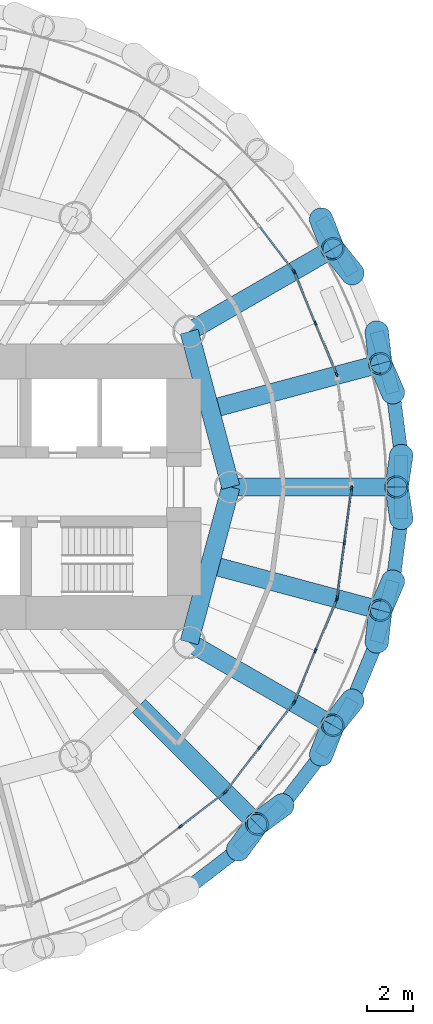
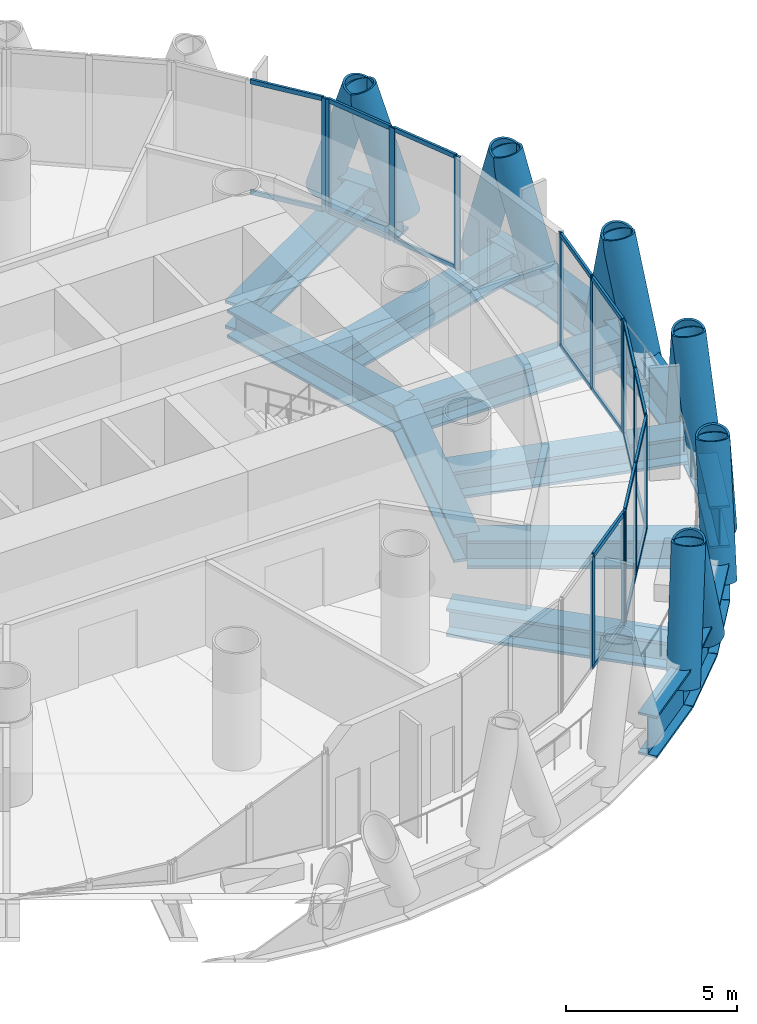
# One storey, part 4 of 15: 47 members, 19 beams, 6 elements without a shape of their own.
"""IFC4 building model written with IfcOpenShell, lengths in metres."""

import ifcopenshell
import ifcopenshell.guid

model = None  # the IFC model being written
_history = None  # IfcOwnerHistory: only IFC2X3 demands one
_inside = {}  # id of a spatial element -> (the spatial element, [elements in it])
_under = {}  # id of a project, library or spatial element -> (it, [spatial elements below it])
_declared = {}  # id of a project -> (the project, [libraries it declares])
_typed = {}  # id of a type object -> (the type object, [elements of that type])
_made_of = {}  # id of a material, layer set ... -> (it, [elements and type objects made of it])


def new_model(schema):
    """Start an empty IFC model of exactly this schema.

    Asked for "IFC4X3", IfcOpenShell would pick the latest addendum, in which some entities
    have other attributes; the version numbers below select the first issue.
    IFC2X3 requires an IfcOwnerHistory on every rooted entity: one is made here for all.
    """
    global model, _history
    if schema == "IFC4X3":
        model = ifcopenshell.file(schema_version=(4, 3, 0, 0))
    else:
        model = ifcopenshell.file(schema=schema)
    _inside.clear()
    _under.clear()
    _declared.clear()
    _typed.clear()
    _made_of.clear()
    _history = None
    if model.schema == "IFC2X3":
        org = make("IfcOrganization", Name="unknown")
        user = make(
            "IfcPersonAndOrganization",
            ThePerson=make("IfcPerson", FamilyName="unknown"),
            TheOrganization=org,
        )
        app = make(
            "IfcApplication",
            ApplicationDeveloper=org,
            Version="unknown",
            ApplicationFullName="unknown",
            ApplicationIdentifier="unknown",
        )
        _history = make(
            "IfcOwnerHistory",
            OwningUser=user,
            OwningApplication=app,
            ChangeAction="ADDED",
            CreationDate=0,
        )
    return model


def make(cls, **values):
    """One entity of the class cls with the attributes given. An attribute that is None is left unset."""
    return model.create_entity(
        cls, **{name: value for name, value in values.items() if value is not None}
    )


def rooted(cls, **values):
    """An entity with a GlobalId (a new one), such as an element, a storey or a relation."""
    return make(cls, GlobalId=ifcopenshell.guid.new(), OwnerHistory=_history, **values)


def si_unit(unit_type, name, prefix=None):
    """IfcSIUnit, for example si_unit("LENGTHUNIT", "METRE", prefix="MILLI")."""
    return make("IfcSIUnit", UnitType=unit_type, Prefix=prefix, Name=name)


def assignment(units):
    """IfcUnitAssignment: the units of a project."""
    return None if units is None else make("IfcUnitAssignment", Units=units)


def point(xyz):
    """IfcCartesianPoint."""
    return None if xyz is None else make("IfcCartesianPoint", Coordinates=xyz)


def direction(xyz):
    """IfcDirection."""
    return None if xyz is None else make("IfcDirection", DirectionRatios=xyz)


def frame(location, z_axis=None, x_axis=None):
    """IfcAxis2Placement3D, a coordinate frame: its origin and axes. An axis left out is left unset."""
    return make(
        "IfcAxis2Placement3D",
        Location=point(location),
        Axis=direction(z_axis),
        RefDirection=direction(x_axis),
    )


def frame_2d(location, x_axis=None):
    """IfcAxis2Placement2D, a coordinate frame in the plane: its origin and x axis."""
    return make(
        "IfcAxis2Placement2D", Location=point(location), RefDirection=direction(x_axis)
    )


def origin():
    """The frame at (0, 0, 0) with its axes left unset."""
    return frame((0.0, 0.0, 0.0))


def origin_2d():
    """The frame at (0, 0) in the plane with its x axis left unset."""
    return frame_2d((0.0, 0.0))


def place(relative_to, where):
    """IfcLocalPlacement: puts the frame where relative to a parent placement (None: the world)."""
    return make(
        "IfcLocalPlacement", PlacementRelTo=relative_to, RelativePlacement=where
    )


def context(
    kind, dimensions, precision=None, world=None, true_north=None, identifier=None
):
    """IfcGeometricRepresentationContext, for example the 3D "Model" context."""
    return make(
        "IfcGeometricRepresentationContext",
        ContextIdentifier=identifier,
        ContextType=kind,
        CoordinateSpaceDimension=dimensions,
        Precision=precision,
        WorldCoordinateSystem=world,
        TrueNorth=true_north,
    )


def subcontext(parent, identifier, kind, view, scale=None):
    """IfcGeometricRepresentationSubContext, for example "Body" below "Model"."""
    return make(
        "IfcGeometricRepresentationSubContext",
        ContextIdentifier=identifier,
        ContextType=kind,
        ParentContext=parent,
        TargetScale=scale,
        TargetView=view,
    )


def project(units=None, contexts=None):
    """IfcProject with its units and contexts."""
    return rooted(
        "IfcProject",
        Name="project",
        RepresentationContexts=contexts,
        UnitsInContext=assignment(units),
    )


def spatial(cls, under=None, at=None, **own):
    """A site, building, storey or space (cls), placed at a placement, below another one or the project."""
    s = rooted(cls, ObjectPlacement=at, **own)
    if under is not None:
        _under.setdefault(under.id(), (under, []))[1].append(s)
    return s


def profile(cls, at=None, kind="AREA", **sizes):
    """A parametric profile (cls). Its sizes go by their IFC names, for example OverallWidth=200.0."""
    return make(cls, ProfileType=kind, Position=at, **sizes)


def rectangle(**sizes):
    """IfcRectangleProfileDef."""
    return profile("IfcRectangleProfileDef", **sizes)


def hollow_circle(**sizes):
    """IfcCircleHollowProfileDef."""
    return profile("IfcCircleHollowProfileDef", **sizes)


def i_section(**sizes):
    """IfcIShapeProfileDef."""
    return profile("IfcIShapeProfileDef", **sizes)


def extrude(swept, where, along, depth):
    """IfcExtrudedAreaSolid: the profile swept, set in the frame where, extruded along a direction by depth."""
    return make(
        "IfcExtrudedAreaSolid",
        SweptArea=swept,
        Position=where,
        ExtrudedDirection=direction(along),
        Depth=depth,
    )


def shape(context_of_items, identifier, shape_type, items):
    """IfcShapeRepresentation: the items that make up one representation, for example the "Body"."""
    return make(
        "IfcShapeRepresentation",
        ContextOfItems=context_of_items,
        RepresentationIdentifier=identifier,
        RepresentationType=shape_type,
        Items=items,
    )


def material(Name=None, Category=None):
    """IfcMaterial."""
    return make("IfcMaterial", Name=Name, Category=Category)


def material_profile(
    of_material, cross_section, Name=None, Category=None, Priority=None
):
    """IfcMaterialProfile: a cross section and its material."""
    return make(
        "IfcMaterialProfile",
        Name=Name,
        Material=of_material,
        Profile=cross_section,
        Priority=Priority,
        Category=Category,
    )


def profile_set(profiles, Name=None, composite=None):
    """IfcMaterialProfileSet."""
    return make(
        "IfcMaterialProfileSet",
        Name=Name,
        MaterialProfiles=profiles,
        CompositeProfile=composite,
    )


def made_of(thing, what):
    """Note that an element or type object is made of a material, layer set ...; save() writes the relation."""
    if what is not None:
        _made_of.setdefault(what.id(), (what, []))[1].append(thing)
    return thing


def type_object(cls, material=None, **own):
    """A type object (cls), such as IfcWallType, which elements share."""
    return made_of(rooted(cls, **own), material)


def element(
    cls,
    number,
    at=None,
    inside=None,
    cuts=None,
    type_object=None,
    material=None,
    context=None,
    identifier="Body",
    shape_type=None,
    held_by="IfcProductDefinitionShape",
    body=None,
    shapes=None,
    **own,
):
    """One element of the class cls, such as IfcWall. Its Tag is "e" and its number.

    at: its placement. inside: the storey or other place that contains it. cuts: it is an
    opening in that element (IfcRelVoidsElement). A single representation is given by context,
    identifier, shape_type and body (its items); several are given by shapes. held_by: the class
    of the entity that holds the representations. save() writes the other relations.
    """
    e = rooted(cls, Tag="e%d" % number, ObjectPlacement=at, **own)
    if body is not None:
        shapes = [shape(context, identifier, shape_type, body)]
    if shapes is not None:
        e.Representation = make(held_by, Representations=shapes)
    if inside is not None:
        _inside.setdefault(inside.id(), (inside, []))[1].append(e)
    if cuts is not None:
        rooted(
            "IfcRelVoidsElement", RelatingBuildingElement=cuts, RelatedOpeningElement=e
        )
    if type_object is not None:
        _typed.setdefault(type_object.id(), (type_object, []))[1].append(e)
    return made_of(e, material)


def aggregate(whole, parts):
    """IfcRelAggregates: a whole, such as a stair, and the parts it consists of."""
    return rooted("IfcRelAggregates", RelatingObject=whole, RelatedObjects=parts)


def save(model, path):
    """Write the relations noted so far, then the file.

    IfcRelAggregates (storeys below a building ...), IfcRelContainedInSpatialStructure (elements
    in a storey), IfcRelDefinesByType, IfcRelAssociatesMaterial and IfcRelDeclares: one each for
    every whole, place, type object, material and project.
    """
    for whole, parts in _under.values():
        aggregate(whole, parts)
    for where, things in _inside.values():
        rooted(
            "IfcRelContainedInSpatialStructure",
            RelatedElements=things,
            RelatingStructure=where,
        )
    for kind, things in _typed.values():
        rooted("IfcRelDefinesByType", RelatedObjects=things, RelatingType=kind)
    for what, things in _made_of.values():
        rooted("IfcRelAssociatesMaterial", RelatedObjects=things, RelatingMaterial=what)
    for by, libraries in _declared.values():
        rooted("IfcRelDeclares", RelatingContext=by, RelatedDefinitions=libraries)
    model.write(path)


model = new_model("IFC4")

# Units and contexts
model_context = context("Model", 3, precision=1e-05, world=origin(), true_north=direction((0.0, 1.0)))
body_context = subcontext(model_context, "Body", "Model", "MODEL_VIEW")
ifc_project = project(units=[si_unit("LENGTHUNIT", "METRE"), si_unit("AREAUNIT", "SQUARE_METRE"), si_unit("VOLUMEUNIT", "CUBIC_METRE"), si_unit("PLANEANGLEUNIT", "RADIAN"), si_unit("MASSUNIT", "GRAM", prefix="KILO")], contexts=[model_context])

# Site, building, storey
site_placement = place(None, origin())
site = spatial("IfcSite", under=ifc_project, at=site_placement, CompositionType="ELEMENT")
building_placement = place(site_placement, origin())
building = spatial("IfcBuilding", under=site, at=building_placement, Name="Qaws Media Tower", CompositionType="ELEMENT")
storey_placement = place(building_placement, frame((0.0, 0.0, 273.800048828125)))
storey = spatial("IfcBuildingStorey", under=building, at=storey_placement, Name="L63", CompositionType="ELEMENT", Elevation=273.800048828125)

# Curtain wall, members
ifc_material_1 = material(Name="Aluminium and clear glass", Category="aluminium")
curtain_wall_type = type_object("IfcCurtainWallType", Name="Unitised curtain wall CW-D", PredefinedType="NOTDEFINED", material=ifc_material_1)
curtain_wall_1_placement = place(storey_placement, origin())
curtain_wall_1 = element("IfcCurtainWall", 1, at=curtain_wall_1_placement, inside=storey, type_object=curtain_wall_type, Name="CWD curtain wall L63-02", PredefinedType="NOTDEFINED")
ifc_material_2 = material(Name="Aluminium mullion", Category="aluminium")
ifc_material_profile_1 = material_profile(ifc_material_2, rectangle(XDim=0.080078125, YDim=0.199951171875, at=origin_2d()), Name="80x200")
ifc_profile_set_1 = profile_set([ifc_material_profile_1], Name="Aluminium mullion")
member_type_1 = type_object("IfcMemberType", Name="Curtain wall mullion 80x200", PredefinedType="MULLION", material=ifc_profile_set_1)
member_1_placement = place(storey_placement, frame((78.095703125, 54.889892578125, 0.0), z_axis=(0.0, 0.0, 1.0), x_axis=(-0.923879529739, -0.382683439057, 0.0)))
member_1 = element("IfcMember", 2, at=member_1_placement, type_object=member_type_1, Name="CWD mullion 1", PredefinedType="MULLION", context=body_context, shape_type="SweptSolid", body=[
    extrude(rectangle(XDim=0.080078125, YDim=0.199951171875, at=origin_2d()), origin(), (0.0, 0.0, 1.0), 4.0400390625),
])
member_2_placement = place(storey_placement, frame((77.174560546875, 57.114013671875, 0.0), z_axis=(0.0, 0.0, 1.0), x_axis=(-0.923879529739, -0.382683439057, 0.0)))
member_2 = element("IfcMember", 3, at=member_2_placement, type_object=member_type_1, Name="CWD mullion 2", PredefinedType="MULLION", context=body_context, shape_type="SweptSolid", body=[
    extrude(rectangle(XDim=0.080078125, YDim=0.199951171875, at=origin_2d()), origin(), (0.0, 0.0, 1.0), 4.0400390625),
])
member_3_placement = place(storey_placement, frame((76.253173828125, 59.338134765625, 0.0), z_axis=(0.0, 0.0, 1.0), x_axis=(-0.923879529739, -0.382683439057, 0.0)))
member_3 = element("IfcMember", 4, at=member_3_placement, type_object=member_type_1, Name="CWD mullion 3", PredefinedType="MULLION", context=body_context, shape_type="SweptSolid", body=[
    extrude(rectangle(XDim=0.080078125, YDim=0.199951171875, at=origin_2d()), origin(), (0.0, 0.0, 1.0), 4.0400390625),
])

# Curtain wall, member
curtain_wall_2_placement = place(storey_placement, origin())
curtain_wall_2 = element("IfcCurtainWall", 5, at=curtain_wall_2_placement, inside=storey, type_object=curtain_wall_type, Name="CWD curtain wall L63-03", PredefinedType="NOTDEFINED")
member_4_placement = place(storey_placement, frame((76.213623046875, 59.40673828125, 0.0), z_axis=(0.0, 0.0, 1.0), x_axis=(-0.793353346284, -0.608761421199, 0.0)))
member_4 = element("IfcMember", 6, at=member_4_placement, type_object=member_type_1, Name="CWD mullion 1", PredefinedType="MULLION", context=body_context, shape_type="SweptSolid", body=[
    extrude(rectangle(XDim=0.080078125, YDim=0.199951171875, at=origin_2d()), origin(), (0.0, 0.0, 1.0), 4.0400390625),
])

# Curtain wall, members
curtain_wall_3_placement = place(storey_placement, origin())
curtain_wall_3 = element("IfcCurtainWall", 7, at=curtain_wall_3_placement, inside=storey, type_object=curtain_wall_type, Name="CWD curtain wall L63-21", PredefinedType="NOTDEFINED")
member_5_placement = place(storey_placement, frame((71.316650390625, 35.251953125, 0.0), z_axis=(0.0, 0.0, 1.0), x_axis=(-0.608761421199, 0.793353346284, 0.0)))
member_5 = element("IfcMember", 8, at=member_5_placement, type_object=member_type_1, Name="CWD mullion 2", PredefinedType="MULLION", context=body_context, shape_type="SweptSolid", body=[
    extrude(rectangle(XDim=0.080078125, YDim=0.199951171875, at=origin_2d()), origin(), (0.0, 0.0, 1.0), 4.0400390625),
])
member_6_placement = place(storey_placement, frame((73.2265625, 36.71728515625, 0.0), z_axis=(0.0, 0.0, 1.0), x_axis=(-0.608761421199, 0.793353346284, 0.0)))
member_6 = element("IfcMember", 9, at=member_6_placement, type_object=member_type_1, Name="CWD mullion 3", PredefinedType="MULLION", context=body_context, shape_type="SweptSolid", body=[
    extrude(rectangle(XDim=0.080078125, YDim=0.199951171875, at=origin_2d()), origin(), (0.0, 0.0, 1.0), 4.0400390625),
])

curtain_wall_4_placement = place(storey_placement, origin())
curtain_wall_4 = element("IfcCurtainWall", 10, at=curtain_wall_4_placement, inside=storey, type_object=curtain_wall_type, Name="CWD curtain wall L63-22", PredefinedType="NOTDEFINED")
member_7_placement = place(storey_placement, frame((73.28271484375, 36.7734375, 0.0), z_axis=(0.0, 0.0, 1.0), x_axis=(-0.793353346284, 0.608761421199, 0.0)))
member_7 = element("IfcMember", 11, at=member_7_placement, type_object=member_type_1, Name="CWD mullion 1", PredefinedType="MULLION", context=body_context, shape_type="SweptSolid", body=[
    extrude(rectangle(XDim=0.080078125, YDim=0.199951171875, at=origin_2d()), origin(), (0.0, 0.0, 1.0), 4.0400390625),
])
member_8_placement = place(storey_placement, frame((74.748046875, 38.683349609375, 0.0), z_axis=(0.0, 0.0, 1.0), x_axis=(-0.793353346284, 0.608761421199, 0.0)))
member_8 = element("IfcMember", 12, at=member_8_placement, type_object=member_type_1, Name="CWD mullion 2", PredefinedType="MULLION", context=body_context, shape_type="SweptSolid", body=[
    extrude(rectangle(XDim=0.080078125, YDim=0.199951171875, at=origin_2d()), origin(), (0.0, 0.0, 1.0), 4.0400390625),
])
member_9_placement = place(storey_placement, frame((76.213623046875, 40.59326171875, 0.0), z_axis=(0.0, 0.0, 1.0), x_axis=(-0.793353346284, 0.608761421199, 0.0)))
member_9 = element("IfcMember", 13, at=member_9_placement, type_object=member_type_1, Name="CWD mullion 3", PredefinedType="MULLION", context=body_context, shape_type="SweptSolid", body=[
    extrude(rectangle(XDim=0.080078125, YDim=0.199951171875, at=origin_2d()), origin(), (0.0, 0.0, 1.0), 4.0400390625),
])

curtain_wall_5_placement = place(storey_placement, origin())
curtain_wall_5 = element("IfcCurtainWall", 14, at=curtain_wall_5_placement, inside=storey, type_object=curtain_wall_type, Name="CWD curtain wall L63-23", PredefinedType="NOTDEFINED")
member_10_placement = place(storey_placement, frame((76.253173828125, 40.661865234375, 0.0), z_axis=(0.0, 0.0, 1.0), x_axis=(-0.923879529739, 0.382683439057, 0.0)))
member_10 = element("IfcMember", 15, at=member_10_placement, type_object=member_type_1, Name="CWD mullion 1", PredefinedType="MULLION", context=body_context, shape_type="SweptSolid", body=[
    extrude(rectangle(XDim=0.080078125, YDim=0.199951171875, at=origin_2d()), origin(), (0.0, 0.0, 1.0), 4.0400390625),
])
member_11_placement = place(storey_placement, frame((77.174560546875, 42.885986328125, 0.0), z_axis=(0.0, 0.0, 1.0), x_axis=(-0.923879529739, 0.382683439057, 0.0)))
member_11 = element("IfcMember", 16, at=member_11_placement, type_object=member_type_1, Name="CWD mullion 2", PredefinedType="MULLION", context=body_context, shape_type="SweptSolid", body=[
    extrude(rectangle(XDim=0.080078125, YDim=0.199951171875, at=origin_2d()), origin(), (0.0, 0.0, 1.0), 4.0400390625),
])
member_12_placement = place(storey_placement, frame((78.095703125, 45.110107421875, 0.0), z_axis=(0.0, 0.0, 1.0), x_axis=(-0.923879529739, 0.382683439057, 0.0)))
member_12 = element("IfcMember", 17, at=member_12_placement, type_object=member_type_1, Name="CWD mullion 3", PredefinedType="MULLION", context=body_context, shape_type="SweptSolid", body=[
    extrude(rectangle(XDim=0.080078125, YDim=0.199951171875, at=origin_2d()), origin(), (0.0, 0.0, 1.0), 4.0400390625),
])

curtain_wall_6_placement = place(storey_placement, origin())
curtain_wall_6 = element("IfcCurtainWall", 18, at=curtain_wall_6_placement, inside=storey, type_object=curtain_wall_type, Name="CWD curtain wall L63-24", PredefinedType="NOTDEFINED")
member_13_placement = place(storey_placement, frame((78.1162109375, 45.186767578125, 0.0), z_axis=(0.0, 0.0, 1.0), x_axis=(-0.991444854619, 0.130526243526, 0.0)))
member_13 = element("IfcMember", 19, at=member_13_placement, type_object=member_type_1, Name="CWD mullion 1", PredefinedType="MULLION", context=body_context, shape_type="SweptSolid", body=[
    extrude(rectangle(XDim=0.080078125, YDim=0.199951171875, at=origin_2d()), origin(), (0.0, 0.0, 1.0), 4.0400390625),
])
member_14_placement = place(storey_placement, frame((78.4306640625, 47.573486328125, 0.0), z_axis=(0.0, 0.0, 1.0), x_axis=(-0.991444854619, 0.130526243526, 0.0)))
member_14 = element("IfcMember", 20, at=member_14_placement, type_object=member_type_1, Name="CWD mullion 2", PredefinedType="MULLION", context=body_context, shape_type="SweptSolid", body=[
    extrude(rectangle(XDim=0.080078125, YDim=0.199951171875, at=origin_2d()), origin(), (0.0, 0.0, 1.0), 4.0400390625),
])
member_15_placement = place(storey_placement, frame((78.744873046875, 49.96044921875, 0.0), z_axis=(0.0, 0.0, 1.0), x_axis=(-0.991444854619, 0.130526243526, 0.0)))
member_15 = element("IfcMember", 21, at=member_15_placement, type_object=member_type_1, Name="CWD mullion 3", PredefinedType="MULLION", context=body_context, shape_type="SweptSolid", body=[
    extrude(rectangle(XDim=0.080078125, YDim=0.199951171875, at=origin_2d()), origin(), (0.0, 0.0, 1.0), 4.0400390625),
])

# Member
ifc_material_3 = material(Name="Aluminium transom", Category="aluminium")
ifc_material_profile_2 = material_profile(ifc_material_3, rectangle(XDim=0.080078125, YDim=0.159912109375, at=origin_2d()), Name="80x160")
ifc_profile_set_2 = profile_set([ifc_material_profile_2], Name="Aluminium transom")
member_type_2 = type_object("IfcMemberType", Name="Curtain wall transom 80x160", PredefinedType="USERDEFINED", material=ifc_profile_set_2)
member_16_placement = place(storey_placement, frame((78.08056640625, 54.9267578125, 0.0400390625), z_axis=(-0.382685326691, 0.923878747853, 0.0), x_axis=(-0.923878747853, -0.382685326691, 0.0)))
member_16 = element("IfcMember", 22, at=member_16_placement, type_object=member_type_2, Name="CWD transom 1.1", ObjectType="TRANSOM", PredefinedType="USERDEFINED", context=body_context, shape_type="SweptSolid", body=[
    extrude(rectangle(XDim=0.080078125, YDim=0.159912109375, at=origin_2d()), origin(), (0.0, 0.0, 1.0), 2.327392578125),
])

member_17_placement = place(storey_placement, frame((78.08056640625, 54.9267578125, 4.0), z_axis=(-0.382685326691, 0.923878747853, 0.0), x_axis=(-0.923878747853, -0.382685326691, 0.0)))
member_17 = element("IfcMember", 23, at=member_17_placement, type_object=member_type_2, Name="CWD transom 1.2", ObjectType="TRANSOM", PredefinedType="USERDEFINED", context=body_context, shape_type="SweptSolid", body=[
    extrude(rectangle(XDim=0.080078125, YDim=0.159912109375, at=origin_2d()), origin(), (0.0, 0.0, 1.0), 2.327392578125),
])

member_18_placement = place(storey_placement, frame((77.1591796875, 57.15087890625, 0.0400390625), z_axis=(-0.382685326691, 0.923878747853, 0.0), x_axis=(-0.923878747853, -0.382685326691, 0.0)))
member_18 = element("IfcMember", 24, at=member_18_placement, type_object=member_type_2, Name="CWD transom 2.1", ObjectType="TRANSOM", PredefinedType="USERDEFINED", context=body_context, shape_type="SweptSolid", body=[
    extrude(rectangle(XDim=0.080078125, YDim=0.159912109375, at=origin_2d()), origin(), (0.0, 0.0, 1.0), 2.327392578125),
])

member_19_placement = place(storey_placement, frame((77.1591796875, 57.15087890625, 4.0), z_axis=(-0.382685326691, 0.923878747853, 0.0), x_axis=(-0.923878747853, -0.382685326691, 0.0)))
member_19 = element("IfcMember", 25, at=member_19_placement, type_object=member_type_2, Name="CWD transom 2.2", ObjectType="TRANSOM", PredefinedType="USERDEFINED", context=body_context, shape_type="SweptSolid", body=[
    extrude(rectangle(XDim=0.080078125, YDim=0.159912109375, at=origin_2d()), origin(), (0.0, 0.0, 1.0), 2.327392578125),
])

aggregate(curtain_wall_1, [member_1, member_2, member_3, member_16, member_17, member_18, member_19])

member_20_placement = place(storey_placement, frame((76.189208984375, 59.4384765625, 0.0400390625), z_axis=(-0.60874201656, 0.79336823561, 0.0), x_axis=(-0.79336823561, -0.60874201656, 0.0)))
member_20 = element("IfcMember", 26, at=member_20_placement, type_object=member_type_2, Name="CWD transom 1.1", ObjectType="TRANSOM", PredefinedType="USERDEFINED", context=body_context, shape_type="SweptSolid", body=[
    extrude(rectangle(XDim=0.080078125, YDim=0.159912109375, at=origin_2d()), origin(), (0.0, 0.0, 1.0), 2.327392578125),
])

member_21_placement = place(storey_placement, frame((76.189208984375, 59.4384765625, 4.0), z_axis=(-0.60874201656, 0.79336823561, 0.0), x_axis=(-0.79336823561, -0.60874201656, 0.0)))
member_21 = element("IfcMember", 27, at=member_21_placement, type_object=member_type_2, Name="CWD transom 1.2", ObjectType="TRANSOM", PredefinedType="USERDEFINED", context=body_context, shape_type="SweptSolid", body=[
    extrude(rectangle(XDim=0.080078125, YDim=0.159912109375, at=origin_2d()), origin(), (0.0, 0.0, 1.0), 2.327392578125),
])

aggregate(curtain_wall_2, [member_4, member_20, member_21])

member_22_placement = place(storey_placement, frame((71.348388671875, 35.276123046875, 0.0400390625), z_axis=(0.793317573344, 0.608808038567, 0.0), x_axis=(-0.608808038567, 0.793317573344, 0.0)))
member_22 = element("IfcMember", 28, at=member_22_placement, type_object=member_type_2, Name="CWD transom 2.1", ObjectType="TRANSOM", PredefinedType="USERDEFINED", context=body_context, shape_type="SweptSolid", body=[
    extrude(rectangle(XDim=0.080078125, YDim=0.159912109375, at=origin_2d()), origin(), (0.0, 0.0, 1.0), 2.327392578125),
])

member_23_placement = place(storey_placement, frame((71.348388671875, 35.276123046875, 4.0), z_axis=(0.793317573344, 0.608808038567, 0.0), x_axis=(-0.608808038567, 0.793317573344, 0.0)))
member_23 = element("IfcMember", 29, at=member_23_placement, type_object=member_type_2, Name="CWD transom 2.2", ObjectType="TRANSOM", PredefinedType="USERDEFINED", context=body_context, shape_type="SweptSolid", body=[
    extrude(rectangle(XDim=0.080078125, YDim=0.159912109375, at=origin_2d()), origin(), (0.0, 0.0, 1.0), 2.327392578125),
])

aggregate(curtain_wall_3, [member_5, member_6, member_22, member_23])

member_24_placement = place(storey_placement, frame((73.306884765625, 36.80517578125, 0.0400390625), z_axis=(0.608808038567, 0.793317573344, 0.0), x_axis=(-0.793317573344, 0.608808038567, 0.0)))
member_24 = element("IfcMember", 30, at=member_24_placement, type_object=member_type_2, Name="CWD transom 1.1", ObjectType="TRANSOM", PredefinedType="USERDEFINED", context=body_context, shape_type="SweptSolid", body=[
    extrude(rectangle(XDim=0.080078125, YDim=0.159912109375, at=origin_2d()), origin(), (0.0, 0.0, 1.0), 2.327392578125),
])

member_25_placement = place(storey_placement, frame((73.306884765625, 36.80517578125, 4.0), z_axis=(0.608808038567, 0.793317573344, 0.0), x_axis=(-0.793317573344, 0.608808038567, 0.0)))
member_25 = element("IfcMember", 31, at=member_25_placement, type_object=member_type_2, Name="CWD transom 1.2", ObjectType="TRANSOM", PredefinedType="USERDEFINED", context=body_context, shape_type="SweptSolid", body=[
    extrude(rectangle(XDim=0.080078125, YDim=0.159912109375, at=origin_2d()), origin(), (0.0, 0.0, 1.0), 2.327392578125),
])

member_26_placement = place(storey_placement, frame((74.7724609375, 38.715087890625, 0.0400390625), z_axis=(0.60874201656, 0.79336823561, 0.0), x_axis=(-0.79336823561, 0.60874201656, 0.0)))
member_26 = element("IfcMember", 32, at=member_26_placement, type_object=member_type_2, Name="CWD transom 2.1", ObjectType="TRANSOM", PredefinedType="USERDEFINED", context=body_context, shape_type="SweptSolid", body=[
    extrude(rectangle(XDim=0.080078125, YDim=0.159912109375, at=origin_2d()), origin(), (0.0, 0.0, 1.0), 2.327392578125),
])

member_27_placement = place(storey_placement, frame((74.7724609375, 38.715087890625, 4.0), z_axis=(0.60874201656, 0.79336823561, 0.0), x_axis=(-0.79336823561, 0.60874201656, 0.0)))
member_27 = element("IfcMember", 33, at=member_27_placement, type_object=member_type_2, Name="CWD transom 2.2", ObjectType="TRANSOM", PredefinedType="USERDEFINED", context=body_context, shape_type="SweptSolid", body=[
    extrude(rectangle(XDim=0.080078125, YDim=0.159912109375, at=origin_2d()), origin(), (0.0, 0.0, 1.0), 2.327392578125),
])

aggregate(curtain_wall_4, [member_7, member_8, member_9, member_24, member_25, member_26, member_27])

member_28_placement = place(storey_placement, frame((76.2685546875, 40.698974609375, 0.0400390625), z_axis=(0.382685326691, 0.923878747853, 0.0), x_axis=(-0.923878747853, 0.382685326691, 0.0)))
member_28 = element("IfcMember", 34, at=member_28_placement, type_object=member_type_2, Name="CWD transom 1.1", ObjectType="TRANSOM", PredefinedType="USERDEFINED", context=body_context, shape_type="SweptSolid", body=[
    extrude(rectangle(XDim=0.080078125, YDim=0.159912109375, at=origin_2d()), origin(), (0.0, 0.0, 1.0), 2.327392578125),
])

member_29_placement = place(storey_placement, frame((76.2685546875, 40.698974609375, 4.0), z_axis=(0.382685326691, 0.923878747853, 0.0), x_axis=(-0.923878747853, 0.382685326691, 0.0)))
member_29 = element("IfcMember", 35, at=member_29_placement, type_object=member_type_2, Name="CWD transom 1.2", ObjectType="TRANSOM", PredefinedType="USERDEFINED", context=body_context, shape_type="SweptSolid", body=[
    extrude(rectangle(XDim=0.080078125, YDim=0.159912109375, at=origin_2d()), origin(), (0.0, 0.0, 1.0), 2.327392578125),
])

member_30_placement = place(storey_placement, frame((77.18994140625, 42.923095703125, 0.0400390625), z_axis=(0.382685326691, 0.923878747853, 0.0), x_axis=(-0.923878747853, 0.382685326691, 0.0)))
member_30 = element("IfcMember", 36, at=member_30_placement, type_object=member_type_2, Name="CWD transom 2.1", ObjectType="TRANSOM", PredefinedType="USERDEFINED", context=body_context, shape_type="SweptSolid", body=[
    extrude(rectangle(XDim=0.080078125, YDim=0.159912109375, at=origin_2d()), origin(), (0.0, 0.0, 1.0), 2.327392578125),
])

member_31_placement = place(storey_placement, frame((77.18994140625, 42.923095703125, 4.0), z_axis=(0.382685326691, 0.923878747853, 0.0), x_axis=(-0.923878747853, 0.382685326691, 0.0)))
member_31 = element("IfcMember", 37, at=member_31_placement, type_object=member_type_2, Name="CWD transom 2.2", ObjectType="TRANSOM", PredefinedType="USERDEFINED", context=body_context, shape_type="SweptSolid", body=[
    extrude(rectangle(XDim=0.080078125, YDim=0.159912109375, at=origin_2d()), origin(), (0.0, 0.0, 1.0), 2.327392578125),
])

aggregate(curtain_wall_5, [member_10, member_11, member_12, member_28, member_29, member_30, member_31])

member_32_placement = place(storey_placement, frame((78.12158203125, 45.2265625, 0.0400390625), z_axis=(0.130500644506, 0.991448224459, 0.0), x_axis=(-0.991448224459, 0.130500644506, 0.0)))
member_32 = element("IfcMember", 38, at=member_32_placement, type_object=member_type_2, Name="CWD transom 1.1", ObjectType="TRANSOM", PredefinedType="USERDEFINED", context=body_context, shape_type="SweptSolid", body=[
    extrude(rectangle(XDim=0.080078125, YDim=0.159912109375, at=origin_2d()), origin(), (0.0, 0.0, 1.0), 2.327392578125),
])

member_33_placement = place(storey_placement, frame((78.12158203125, 45.2265625, 4.0), z_axis=(0.130500644506, 0.991448224459, 0.0), x_axis=(-0.991448224459, 0.130500644506, 0.0)))
member_33 = element("IfcMember", 39, at=member_33_placement, type_object=member_type_2, Name="CWD transom 1.2", ObjectType="TRANSOM", PredefinedType="USERDEFINED", context=body_context, shape_type="SweptSolid", body=[
    extrude(rectangle(XDim=0.080078125, YDim=0.159912109375, at=origin_2d()), origin(), (0.0, 0.0, 1.0), 2.327392578125),
])

member_34_placement = place(storey_placement, frame((78.435791015625, 47.61328125, 0.0400390625), z_axis=(0.130500644506, 0.991448224459, 0.0), x_axis=(-0.991448224459, 0.130500644506, 0.0)))
member_34 = element("IfcMember", 40, at=member_34_placement, type_object=member_type_2, Name="CWD transom 2.1", ObjectType="TRANSOM", PredefinedType="USERDEFINED", context=body_context, shape_type="SweptSolid", body=[
    extrude(rectangle(XDim=0.080078125, YDim=0.159912109375, at=origin_2d()), origin(), (0.0, 0.0, 1.0), 2.327392578125),
])

member_35_placement = place(storey_placement, frame((78.435791015625, 47.61328125, 4.0), z_axis=(0.130500644506, 0.991448224459, 0.0), x_axis=(-0.991448224459, 0.130500644506, 0.0)))
member_35 = element("IfcMember", 41, at=member_35_placement, type_object=member_type_2, Name="CWD transom 2.2", ObjectType="TRANSOM", PredefinedType="USERDEFINED", context=body_context, shape_type="SweptSolid", body=[
    extrude(rectangle(XDim=0.080078125, YDim=0.159912109375, at=origin_2d()), origin(), (0.0, 0.0, 1.0), 2.327392578125),
])

aggregate(curtain_wall_6, [member_13, member_14, member_15, member_32, member_33, member_34, member_35])

# Members
ifc_material_4 = material(Name="Steel S460", Category="steel")
ifc_material_profile_3 = material_profile(ifc_material_4, hollow_circle(Radius=0.508056640625, WallThickness=0.070068359375, at=origin_2d()), Name="CHS 1016x70")
ifc_profile_set_3 = profile_set([ifc_material_profile_3], Name="Steel S460")
member_type_3 = type_object("IfcMemberType", Name="Diagrid member CHS 1016x70", PredefinedType="USERDEFINED", material=ifc_profile_set_3)
for number, where, z_axis, x_axis, name in (
    (42, (80.54736328125, 54.087158203125, -0.91015625), (-0.124973262214, 0.287261862438, 0.949664312334), (-0.916980388897, -0.398932282948, 0.0), "DG3 diagrid L63 A01"),
    (43, (80.905029296875, 51.3701171875, -0.91015625), (-0.046368677873, -0.309786928834, 0.949674683476), (0.988982838333, -0.14803021814, 0.0), "DG3 diagrid L63 B01"),
    (44, (78.78955078125, 59.265869140625, -0.91015625), (-0.195076236088, 0.24514249136, 0.949658054798), (-0.782482034389, -0.622673161344, 0.0), "DG3 diagrid L63 A02"),
    (45, (79.838134765625, 56.734130859375, -0.91015625), (0.035383836907, -0.311223201998, 0.949677894143), (0.993598962438, 0.112965046989, 0.0), "DG3 diagrid L63 B02"),
    (46, (77.419189453125, 61.63916015625, -0.91015625), (0.114762390835, -0.291460040217, 0.949673964372), (0.930468476148, 0.366371962483, 0.0), "DG3 diagrid L63 B03"),
    (47, (73.813232421875, 34.2490234375, -0.91015625), (0.186302063661, 0.251825189458, 0.949671319473), (-0.803916042946, 0.594742798102, 0.0), "DG3 diagrid L63 A21"),
    (48, (77.419189453125, 38.36083984375, -0.91015625), (0.114762390835, 0.291460040217, 0.949673964372), (-0.930468476148, 0.366371962483, 0.0), "DG3 diagrid L63 A22"),
    (49, (75.7509765625, 36.186767578125, -0.91015625), (-0.251825189458, -0.186302063661, 0.949671319473), (0.594742798102, -0.803916042946, 0.0), "DG3 diagrid L63 B22"),
    (50, (79.838134765625, 43.265869140625, -0.91015625), (0.035383836907, 0.311223201998, 0.949677894143), (-0.993598962438, 0.112965046989, 0.0), "DG3 diagrid L63 A23"),
    (51, (78.78955078125, 40.734130859375, -0.91015625), (-0.195076236088, -0.24514249136, 0.949658054798), (0.782482034389, -0.622673161344, 0.0), "DG3 diagrid L63 B23"),
    (52, (80.905029296875, 48.6298828125, -0.91015625), (-0.046368677873, 0.309786928834, 0.949674683476), (-0.988982838333, -0.14803021814, 0.0), "DG3 diagrid L63 A24"),
    (53, (80.54736328125, 45.912841796875, -0.91015625), (-0.124973262214, -0.287261862438, 0.949664312334), (0.916980388897, -0.398932282948, 0.0), "DG3 diagrid L63 B24"),
):
    element("IfcMember", number, at=place(storey_placement, frame(where, z_axis=z_axis, x_axis=x_axis)), inside=storey, type_object=member_type_3, Name=name, ObjectType="DIAGRID", PredefinedType="USERDEFINED", context=body_context, shape_type="SweptSolid", body=[
        extrude(hollow_circle(Radius=0.508056640625, WallThickness=0.070068359375, at=origin_2d()), origin(), (0.0, 0.0, 1.0), 4.4228515625),
    ])

# Beams
ifc_material_5 = material(Name="Steel S460", Category="steel")
ifc_material_profile_4 = material_profile(ifc_material_5, i_section(OverallWidth=0.60009765625, OverallDepth=1.5, WebThickness=0.030029296875, FlangeThickness=0.080078125, at=origin_2d()), Name="PG 1500x600")
ifc_profile_set_4 = profile_set([ifc_material_profile_4], Name="Steel S460")
beam_type_1 = type_object("IfcBeamType", Name="Edge ring beam PG 1500x600", PredefinedType="BEAM", material=ifc_profile_set_4)
beam_1_placement = place(storey_placement, frame((80.905029296875, 51.3701171875, -0.91015625), z_axis=(-0.130512124629, 0.991446713306, 0.0), x_axis=(-0.991446713306, -0.130512124629, 0.0)))
element("IfcBeam", 54, at=beam_1_placement, inside=storey, type_object=beam_type_1, Name="RB5 edge ring beam L63-01", PredefinedType="BEAM", context=body_context, shape_type="SweptSolid", body=[
    extrude(i_section(OverallWidth=0.60009765625, OverallDepth=1.5, WebThickness=0.030029296875, FlangeThickness=0.080078125, at=origin_2d()), origin(), (0.0, 0.0, 1.0), 2.740478515625),
])
beam_2_placement = place(storey_placement, frame((80.54736328125, 54.087158203125, -0.91015625), z_axis=(-0.258810305143, 0.965928168112, 0.0), x_axis=(-0.965928168112, -0.258810305143, 0.0)))
element("IfcBeam", 55, at=beam_2_placement, inside=storey, type_object=beam_type_1, Name="RB5 edge ring beam L63-02", PredefinedType="BEAM", context=body_context, shape_type="SweptSolid", body=[
    extrude(i_section(OverallWidth=0.60009765625, OverallDepth=1.5, WebThickness=0.030029296875, FlangeThickness=0.080078125, at=origin_2d()), origin(), (0.0, 0.0, 1.0), 2.740234375),
])
beam_3_placement = place(storey_placement, frame((78.78955078125, 59.265869140625, -0.91015625), z_axis=(-0.500038620418, 0.866003105128, 0.0), x_axis=(-0.866003105128, -0.500038620418, 0.0)))
element("IfcBeam", 56, at=beam_3_placement, inside=storey, type_object=beam_type_1, Name="RB5 edge ring beam L63-04", PredefinedType="BEAM", context=body_context, shape_type="SweptSolid", body=[
    extrude(i_section(OverallWidth=0.60009765625, OverallDepth=1.5, WebThickness=0.030029296875, FlangeThickness=0.080078125, at=origin_2d()), origin(), (0.0, 0.0, 1.0), 2.740478515625),
])
beam_4_placement = place(storey_placement, frame((71.63916015625, 32.580810546875, -0.91015625), z_axis=(0.793355355184, 0.608758803141, 0.0), x_axis=(-0.608758803141, 0.793355355184, 0.0)))
element("IfcBeam", 57, at=beam_4_placement, inside=storey, type_object=beam_type_1, Name="RB5 edge ring beam L63-41", PredefinedType="BEAM", context=body_context, shape_type="SweptSolid", body=[
    extrude(i_section(OverallWidth=0.60009765625, OverallDepth=1.5, WebThickness=0.030029296875, FlangeThickness=0.080078125, at=origin_2d()), origin(), (0.0, 0.0, 1.0), 2.740234375),
])
beam_5_placement = place(storey_placement, frame((73.813232421875, 34.2490234375, -0.91015625), z_axis=(0.707106781187, 0.707106781187, 0.0), x_axis=(-0.707106781187, 0.707106781187, 0.0)))
element("IfcBeam", 58, at=beam_5_placement, inside=storey, type_object=beam_type_1, Name="RB5 edge ring beam L63-42", PredefinedType="BEAM", context=body_context, shape_type="SweptSolid", body=[
    extrude(i_section(OverallWidth=0.60009765625, OverallDepth=1.5, WebThickness=0.030029296875, FlangeThickness=0.080078125, at=origin_2d()), origin(), (0.0, 0.0, 1.0), 2.740478515625),
])
beam_6_placement = place(storey_placement, frame((75.7509765625, 36.186767578125, -0.91015625), z_axis=(0.608758803141, 0.793355355184, 0.0), x_axis=(-0.793355355184, 0.608758803141, 0.0)))
element("IfcBeam", 59, at=beam_6_placement, inside=storey, type_object=beam_type_1, Name="RB5 edge ring beam L63-43", PredefinedType="BEAM", context=body_context, shape_type="SweptSolid", body=[
    extrude(i_section(OverallWidth=0.60009765625, OverallDepth=1.5, WebThickness=0.030029296875, FlangeThickness=0.080078125, at=origin_2d()), origin(), (0.0, 0.0, 1.0), 2.740234375),
])
beam_7_placement = place(storey_placement, frame((77.419189453125, 38.36083984375, -0.91015625), z_axis=(0.500038620418, 0.866003105128, 0.0), x_axis=(-0.866003105128, 0.500038620418, 0.0)))
element("IfcBeam", 60, at=beam_7_placement, inside=storey, type_object=beam_type_1, Name="RB5 edge ring beam L63-44", PredefinedType="BEAM", context=body_context, shape_type="SweptSolid", body=[
    extrude(i_section(OverallWidth=0.60009765625, OverallDepth=1.5, WebThickness=0.030029296875, FlangeThickness=0.080078125, at=origin_2d()), origin(), (0.0, 0.0, 1.0), 2.740478515625),
])
for number, where, z_axis, x_axis, name in (
    (61, (78.78955078125, 40.734130859375, -0.91015625), (0.382653421457, 0.923891962865, 0.0), (-0.923891962865, 0.382653421457, 0.0), "RB5 edge ring beam L63-45"),
    (62, (79.838134765625, 43.265869140625, -0.91015625), (0.258810305143, 0.965928168112, 0.0), (-0.965928168112, 0.258810305143, 0.0), "RB5 edge ring beam L63-46"),
):
    element("IfcBeam", number, at=place(storey_placement, frame(where, z_axis=z_axis, x_axis=x_axis)), inside=storey, type_object=beam_type_1, Name=name, PredefinedType="BEAM", context=body_context, shape_type="SweptSolid", body=[
        extrude(i_section(OverallWidth=0.60009765625, OverallDepth=1.5, WebThickness=0.030029296875, FlangeThickness=0.080078125, at=origin_2d()), origin(), (0.0, 0.0, 1.0), 2.740234375),
    ])
beam_8_placement = place(storey_placement, frame((80.54736328125, 45.912841796875, -0.91015625), z_axis=(0.130512124629, 0.991446713306, 0.0), x_axis=(-0.991446713306, 0.130512124629, 0.0)))
element("IfcBeam", 63, at=beam_8_placement, inside=storey, type_object=beam_type_1, Name="RB5 edge ring beam L63-47", PredefinedType="BEAM", context=body_context, shape_type="SweptSolid", body=[
    extrude(i_section(OverallWidth=0.60009765625, OverallDepth=1.5, WebThickness=0.030029296875, FlangeThickness=0.080078125, at=origin_2d()), origin(), (0.0, 0.0, 1.0), 2.740478515625),
])
beam_9_placement = place(storey_placement, frame((80.905029296875, 48.6298828125, -0.91015625), z_axis=(0.0, 1.0, 0.0), x_axis=(-1.0, 0.0, 0.0)))
element("IfcBeam", 64, at=beam_9_placement, inside=storey, type_object=beam_type_1, Name="RB5 edge ring beam L63-48", PredefinedType="BEAM", context=body_context, shape_type="SweptSolid", body=[
    extrude(i_section(OverallWidth=0.60009765625, OverallDepth=1.5, WebThickness=0.030029296875, FlangeThickness=0.080078125, at=origin_2d()), origin(), (0.0, 0.0, 1.0), 2.740234375),
])
ifc_material_6 = material(Name="Steel S460", Category="steel")
ifc_material_profile_5 = material_profile(ifc_material_6, i_section(OverallWidth=0.800048828125, OverallDepth=1.0, WebThickness=0.0400390625, FlangeThickness=0.10009765625, at=origin_2d()), Name="PG 1000x800")
ifc_profile_set_5 = profile_set([ifc_material_profile_5], Name="Steel S460")
beam_type_2 = type_object("IfcBeamType", Name="Inner ring girder PG 1000x800", PredefinedType="BEAM", material=ifc_profile_set_5)
for number, where, z_axis, x_axis, name in (
    (65, (73.5, 50.0, -0.66015625), (-0.258810593767, 0.965928090778, 0.0), (-0.965928090778, -0.258810593767, 0.0), "B3 inner ring beam L63 I01-I02"),
    (66, (71.69140625, 43.25, -0.66015625), (0.258810593767, 0.965928090778, 0.0), (-0.965928090778, 0.258810593767, 0.0), "B3 inner ring beam L63 I12-I01"),
):
    element("IfcBeam", number, at=place(storey_placement, frame(where, z_axis=z_axis, x_axis=x_axis)), inside=storey, type_object=beam_type_2, Name=name, PredefinedType="BEAM", context=body_context, shape_type="SweptSolid", body=[
        extrude(i_section(OverallWidth=0.800048828125, OverallDepth=1.0, WebThickness=0.0400390625, FlangeThickness=0.10009765625, at=origin_2d()), origin(), (0.0, 0.0, 1.0), 6.988037109375),
    ])
ifc_material_7 = material(Name="Steel S460", Category="steel")
ifc_material_profile_6 = material_profile(ifc_material_7, i_section(OverallWidth=0.800048828125, OverallDepth=1.0, WebThickness=0.0400390625, FlangeThickness=0.10009765625, at=origin_2d()), Name="PG 1000x800")
ifc_profile_set_6 = profile_set([ifc_material_profile_6], Name="Steel S460")
beam_type_3 = type_object("IfcBeamType", Name="Radial girder PG 1000x800", PredefinedType="BEAM", material=ifc_profile_set_6)
beam_10_placement = place(storey_placement, frame((73.5, 50.0, -0.66015625), z_axis=(1.0, 0.0, 0.0), x_axis=(0.0, 1.0, 0.0)))
element("IfcBeam", 67, at=beam_10_placement, inside=storey, type_object=beam_type_3, Name="B1 radial beam L63 01", PredefinedType="BEAM", context=body_context, shape_type="SweptSolid", body=[
    extrude(i_section(OverallWidth=0.800048828125, OverallDepth=1.0, WebThickness=0.0400390625, FlangeThickness=0.10009765625, at=origin_2d()), origin(), (0.0, 0.0, 1.0), 7.405029296875),
])
beam_11_placement = place(storey_placement, frame((72.98193359375, 53.478515625, -0.66015625), z_axis=(0.96592703097, 0.25881454913, 0.0), x_axis=(-0.25881454913, 0.96592703097, 0.0)))
element("IfcBeam", 68, at=beam_11_placement, inside=storey, type_object=beam_type_3, Name="B1 radial beam L63 02", PredefinedType="BEAM", context=body_context, shape_type="SweptSolid", body=[
    extrude(i_section(OverallWidth=0.800048828125, OverallDepth=1.0, WebThickness=0.0400390625, FlangeThickness=0.10009765625, at=origin_2d()), origin(), (0.0, 0.0, 1.0), 7.46533203125),
])
beam_12_placement = place(storey_placement, frame((71.69140625, 56.75, -0.66015625), z_axis=(0.866023074965, 0.500004033612, 0.0), x_axis=(-0.500004033612, 0.866023074965, 0.0)))
element("IfcBeam", 69, at=beam_12_placement, inside=storey, type_object=beam_type_3, Name="B1 radial beam L63 03", PredefinedType="BEAM", context=body_context, shape_type="SweptSolid", body=[
    extrude(i_section(OverallWidth=0.800048828125, OverallDepth=1.0, WebThickness=0.0400390625, FlangeThickness=0.10009765625, at=origin_2d()), origin(), (0.0, 0.0, 1.0), 7.4052734375),
])
beam_13_placement = place(storey_placement, frame((69.50341796875, 40.49658203125, -0.66015625), z_axis=(0.707106781187, -0.707106781187, 0.0), x_axis=(0.707106781187, 0.707106781187, 0.0)))
element("IfcBeam", 70, at=beam_13_placement, inside=storey, type_object=beam_type_3, Name="B1 radial beam L63 22", PredefinedType="BEAM", context=body_context, shape_type="SweptSolid", body=[
    extrude(i_section(OverallWidth=0.800048828125, OverallDepth=1.0, WebThickness=0.0400390625, FlangeThickness=0.10009765625, at=origin_2d()), origin(), (0.0, 0.0, 1.0), 7.46533203125),
])
beam_14_placement = place(storey_placement, frame((71.69140625, 43.25, -0.66015625), z_axis=(0.866023074965, -0.500004033612, 0.0), x_axis=(0.500004033612, 0.866023074965, 0.0)))
element("IfcBeam", 71, at=beam_14_placement, inside=storey, type_object=beam_type_3, Name="B1 radial beam L63 23", PredefinedType="BEAM", context=body_context, shape_type="SweptSolid", body=[
    extrude(i_section(OverallWidth=0.800048828125, OverallDepth=1.0, WebThickness=0.0400390625, FlangeThickness=0.10009765625, at=origin_2d()), origin(), (0.0, 0.0, 1.0), 7.4052734375),
])
beam_15_placement = place(storey_placement, frame((72.98193359375, 46.521484375, -0.66015625), z_axis=(0.96592703097, -0.25881454913, 0.0), x_axis=(0.25881454913, 0.96592703097, 0.0)))
element("IfcBeam", 72, at=beam_15_placement, inside=storey, type_object=beam_type_3, Name="B1 radial beam L63 24", PredefinedType="BEAM", context=body_context, shape_type="SweptSolid", body=[
    extrude(i_section(OverallWidth=0.800048828125, OverallDepth=1.0, WebThickness=0.0400390625, FlangeThickness=0.10009765625, at=origin_2d()), origin(), (0.0, 0.0, 1.0), 7.46533203125),
])

save(model, "model.ifc")
